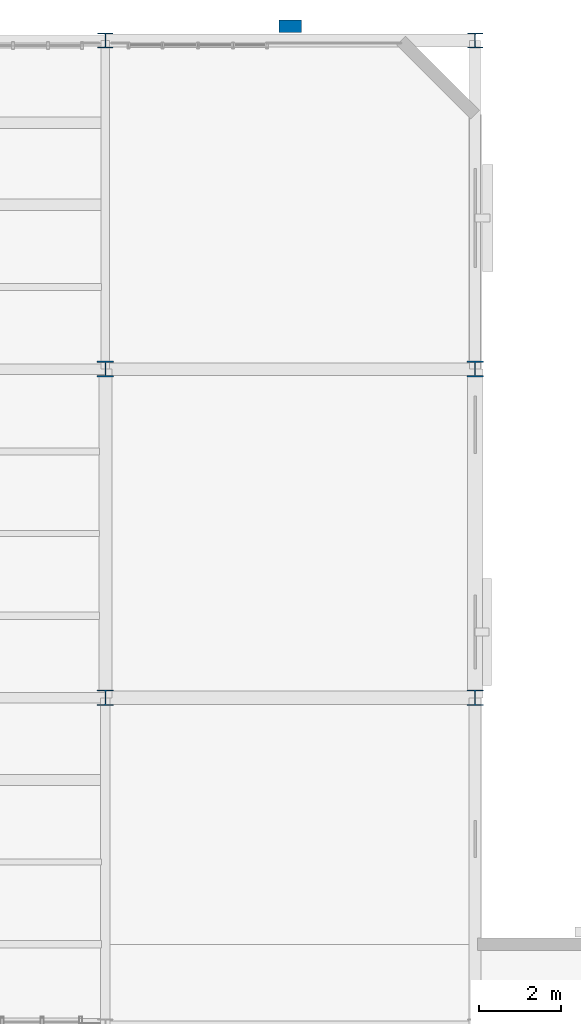
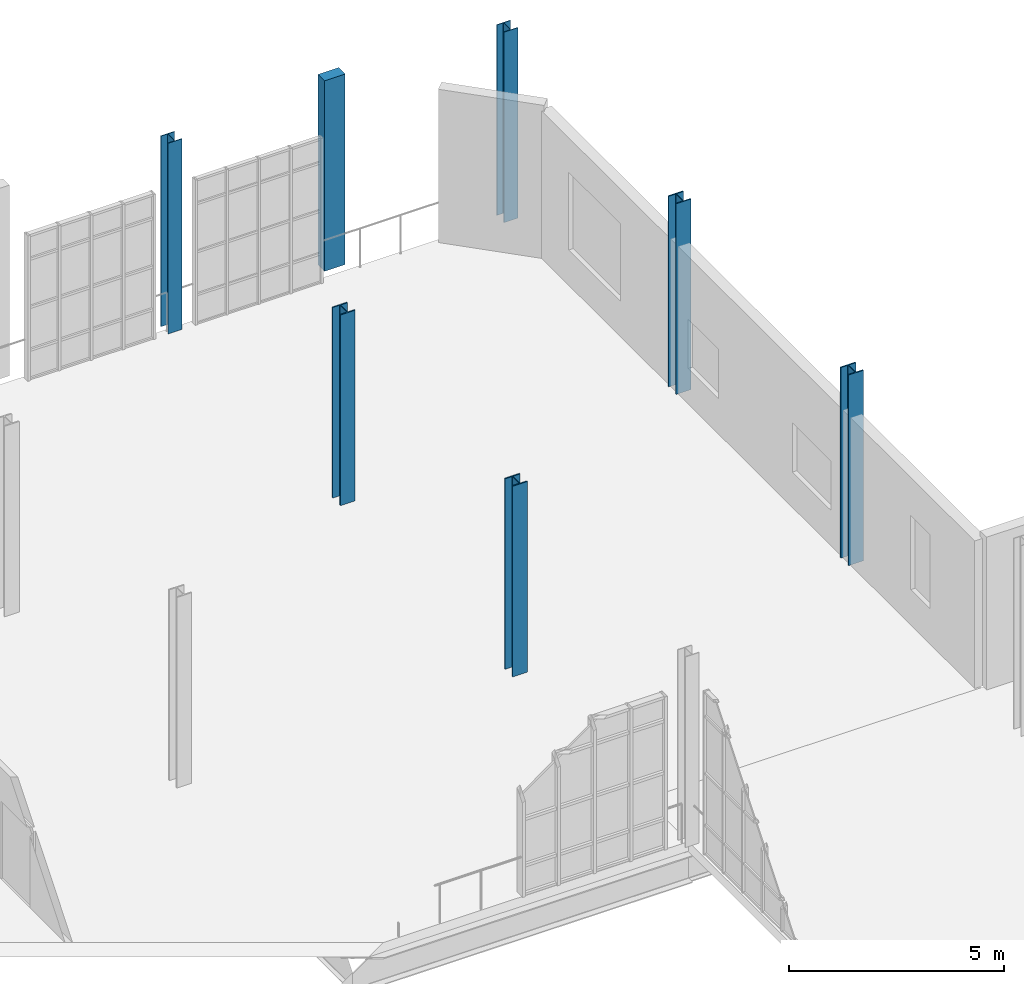
# One storey, part 12 of 142: 7 columns.
"""IFC4 building model written with IfcOpenShell, lengths in metres."""

from ifc_helpers import new_model, si_unit, direction, frame, origin, origin_2d, place, context, subcontext, project, spatial, rectangle, i_section, extrude, material, material_profile, profile_set, type_object, element, save


model = new_model("IFC4")

# Units and contexts
model_context = context("Model", 3, precision=1e-05, world=origin(), true_north=direction((0.0, 1.0)))
body_context = subcontext(model_context, "Body", "Model", "MODEL_VIEW")
ifc_project = project(units=[si_unit("LENGTHUNIT", "METRE"), si_unit("AREAUNIT", "SQUARE_METRE"), si_unit("VOLUMEUNIT", "CUBIC_METRE"), si_unit("PLANEANGLEUNIT", "RADIAN"), si_unit("MASSUNIT", "GRAM", prefix="KILO"), si_unit("THERMODYNAMICTEMPERATUREUNIT", "KELVIN"), si_unit("POWERUNIT", "WATT")], contexts=[model_context])

# Site, building, storey
site_placement = place(None, origin())
site = spatial("IfcSite", under=ifc_project, at=site_placement, CompositionType="ELEMENT")
building_placement = place(site_placement, origin())
building = spatial("IfcBuilding", under=site, at=building_placement, Name="Zelmaris Science Centre", CompositionType="ELEMENT")
storey_placement = place(building_placement, frame((0.0, 0.0, 5.39990234375)))
storey = spatial("IfcBuildingStorey", under=building, at=storey_placement, Name="L01", CompositionType="ELEMENT", Elevation=5.39990234375)

# Columns
ifc_material_1 = material(Name="Steel ASTM A992 Grade 50", Category="steel")
ifc_material_profile_1 = material_profile(ifc_material_1, i_section(OverallWidth=0.39892578125, OverallDepth=0.385986328125, WebThickness=0.02099609375, FlangeThickness=0.033203125, FilletRadius=0.014892578125, at=origin_2d()), Name="W14X176")
ifc_profile_set_1 = profile_set([ifc_material_profile_1], Name="Steel ASTM A992 Grade 50")
column_type_1 = type_object("IfcColumnType", Name="Column C-04 W14X176", PredefinedType="COLUMN", material=ifc_profile_set_1)
for number, where, z_axis, x_axis, name in (
    (1, (99.0, 72.0, 0.0), (0.0, 0.0, 1.0), (1.0, 0.0, 0.0), "Column V5-C-99-72 L01"),
    (2, (99.0, 80.0, 0.0), (0.0, 0.0, 1.0), (1.0, 0.0, 0.0), "Column V5-C-99-80 L01"),
    (3, (108.0, 72.0, 0.0), (0.0, 0.0, 1.0), (1.0, 0.0, 0.0), "Column V5-C-108-72 L01"),
    (4, (108.0, 80.0, 0.0), (0.0, 0.0, 1.0), (1.0, 0.0, 0.0), "Column V5-C-108-80 L01"),
):
    element("IfcColumn", number, at=place(storey_placement, frame(where, z_axis=z_axis, x_axis=x_axis)), inside=storey, type_object=column_type_1, Name=name, PredefinedType="COLUMN", context=body_context, shape_type="SweptSolid", body=[
        extrude(i_section(OverallWidth=0.39892578125, OverallDepth=0.385986328125, WebThickness=0.02099609375, FlangeThickness=0.033203125, FilletRadius=0.014892578125, at=origin_2d()), origin(), (0.0, 0.0, 1.0), 5.400146484375),
    ])
ifc_material_profile_2 = material_profile(ifc_material_1, i_section(OverallWidth=0.367919921875, OverallDepth=0.35595703125, WebThickness=0.01123046875, FlangeThickness=0.01806640625, FilletRadius=0.014892578125, at=origin_2d()), Name="W14X90")
ifc_profile_set_2 = profile_set([ifc_material_profile_2], Name="Steel ASTM A992 Grade 50")
column_type_2 = type_object("IfcColumnType", Name="Column C-07 W14X90", PredefinedType="COLUMN", material=ifc_profile_set_2)
for number, where, z_axis, x_axis, name in (
    (5, (99.0, 88.0, 0.0), (0.0, 0.0, 1.0), (1.0, 0.0, 0.0), "Column V5-C-99-88 L01"),
    (6, (108.0, 88.0, 0.0), (0.0, 0.0, 1.0), (1.0, 0.0, 0.0), "Column V5-C-108-88 L01"),
):
    element("IfcColumn", number, at=place(storey_placement, frame(where, z_axis=z_axis, x_axis=x_axis)), inside=storey, type_object=column_type_2, Name=name, PredefinedType="COLUMN", context=body_context, shape_type="SweptSolid", body=[
        extrude(i_section(OverallWidth=0.367919921875, OverallDepth=0.35595703125, WebThickness=0.01123046875, FlangeThickness=0.01806640625, FilletRadius=0.014892578125, at=origin_2d()), origin(), (0.0, 0.0, 1.0), 5.400146484375),
    ])
ifc_material_2 = material(Name="Yucatan limestone ashlar masonry", Category="masonry")
ifc_material_profile_3 = material_profile(ifc_material_2, rectangle(XDim=0.550048828125, YDim=0.300048828125, at=origin_2d()), Name="PIL-LIM-550X300")
ifc_profile_set_3 = profile_set([ifc_material_profile_3], Name="Yucatan limestone ashlar masonry")
column_type_3 = type_object("IfcColumnType", Name="Pilaster PL-03 PIL-LIM-550X300", PredefinedType="PILASTER", material=ifc_profile_set_3)
column_placement = place(storey_placement, frame((103.5, 88.35009765625, 0.0), z_axis=(0.0, 0.0, 1.0), x_axis=(1.0, 0.0, 0.0)))
element("IfcColumn", 7, at=column_placement, inside=storey, type_object=column_type_3, Name="Limestone pilaster PIL-V5N-3 L01", PredefinedType="PILASTER", context=body_context, shape_type="SweptSolid", body=[
    extrude(rectangle(XDim=0.550048828125, YDim=0.300048828125, at=origin_2d()), origin(), (0.0, 0.0, 1.0), 5.400146484375),
])

save(model, "model.ifc")
